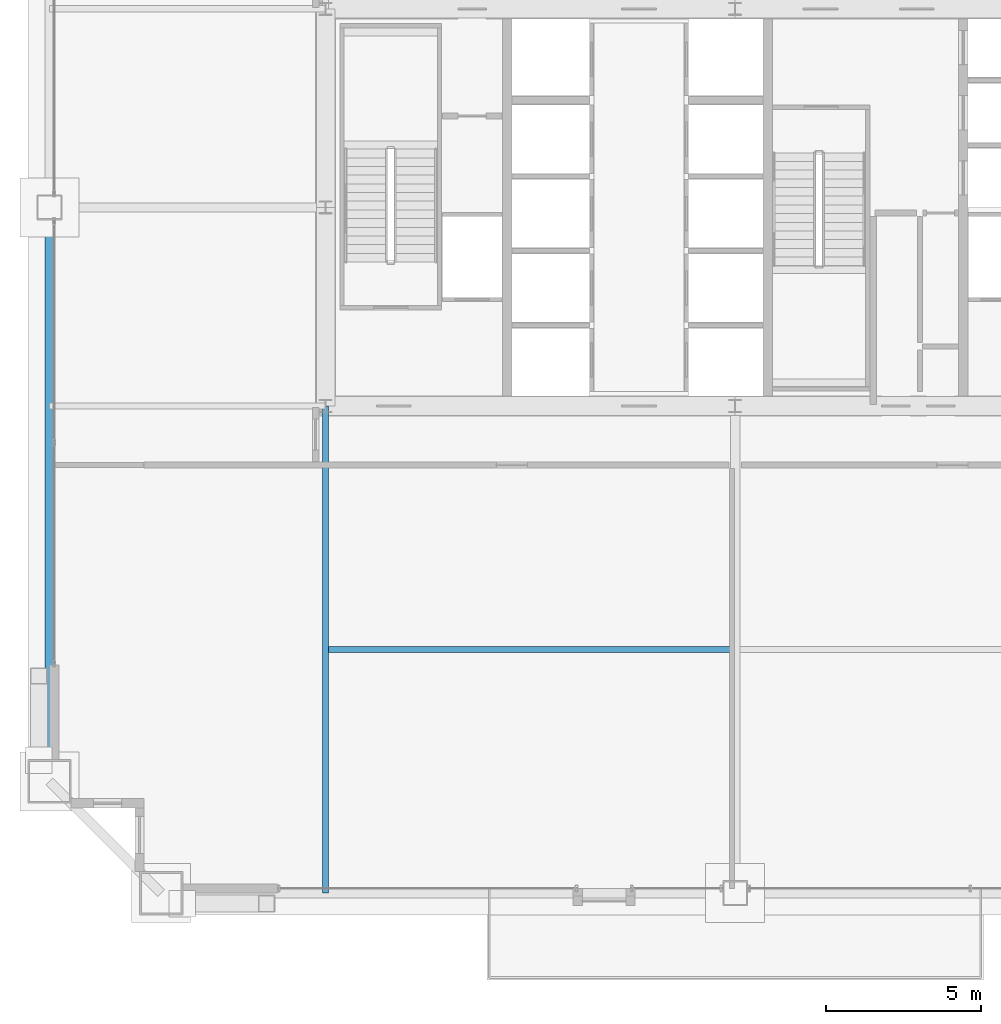
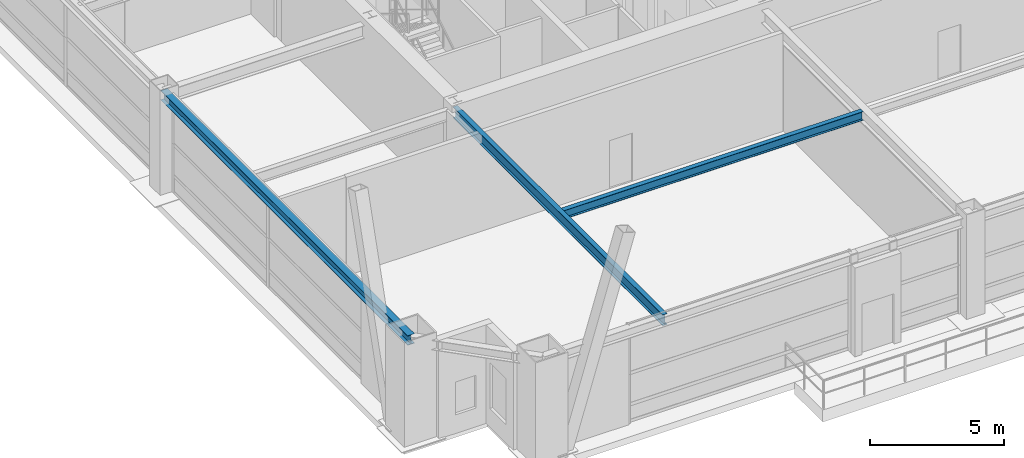
# One storey, part 7 of 34: 3 beams.
"""IFC4 building model written with IfcOpenShell, lengths in metres."""

from ifc_helpers import new_model, si_unit, direction, frame, origin, origin_2d, place, context, subcontext, project, spatial, i_section, extrude, source, transform, mapped, material, material_profile, profile_set, type_object, element, save


model = new_model("IFC4")

# Units and contexts
model_context = context("Model", 3, precision=1e-05, world=origin(), true_north=direction((0.0, 1.0)))
body_context = subcontext(model_context, "Body", "Model", "MODEL_VIEW")
ifc_project = project(units=[si_unit("LENGTHUNIT", "METRE"), si_unit("AREAUNIT", "SQUARE_METRE"), si_unit("VOLUMEUNIT", "CUBIC_METRE"), si_unit("PLANEANGLEUNIT", "RADIAN"), si_unit("MASSUNIT", "GRAM", prefix="KILO"), si_unit("THERMODYNAMICTEMPERATUREUNIT", "KELVIN"), si_unit("POWERUNIT", "WATT")], contexts=[model_context])

# Site, building, storey
site_placement = place(None, origin())
site = spatial("IfcSite", under=ifc_project, at=site_placement, CompositionType="ELEMENT")
building_placement = place(site_placement, origin())
building = spatial("IfcBuilding", under=site, at=building_placement, Name="Yuzanri Waterfront Tower", CompositionType="ELEMENT")
storey_placement = place(building_placement, frame((0.0, 0.0, 166.800048828125)))
storey = spatial("IfcBuildingStorey", under=building, at=storey_placement, Name="L44", CompositionType="ELEMENT", Elevation=166.800048828125)

# Beams
ifc_material_1 = material(Name="Steel Q355B", Category="steel")
ifc_material_profile_1 = material_profile(ifc_material_1, i_section(OverallWidth=0.199951171875, OverallDepth=0.39990234375, WebThickness=0.008056640625, FlangeThickness=0.012939453125, at=origin_2d()), Name="HN 400x200x8x13")
ifc_profile_set_1 = profile_set([ifc_material_profile_1], Name="Steel Q355B")
beam_type_1 = type_object("IfcBeamType", Name="Floor Joist Q355B HN 400x200", PredefinedType="JOIST", material=ifc_profile_set_1)
shared_shape_1 = source(origin(), body_context, "Body", "SweptSolid", [
    extrude(i_section(OverallWidth=0.199951171875, OverallDepth=0.39990234375, WebThickness=0.008056640625, FlangeThickness=0.012939453125, at=origin_2d()), origin(), (0.0, 0.0, 1.0), 12.9501953125),
])
beam_1_placement = place(storey_placement, frame((23.89990234375, 11.550048828125, 4.300048828125), z_axis=(1.0, 0.0, 0.0), x_axis=(0.0, 1.0, 0.0)))
element("IfcBeam", 1, at=beam_1_placement, inside=storey, type_object=beam_type_1, Name="L44 South Bay Joist W", PredefinedType="JOIST", context=body_context, shape_type="MappedRepresentation", body=[
    mapped(shared_shape_1, transform((0.0, 0.0, 0.0), scale=1.0)),
])
ifc_material_2 = material(Name="Steel Q355B", Category="steel")
ifc_material_profile_2 = material_profile(ifc_material_2, i_section(OverallWidth=0.300048828125, OverallDepth=0.43994140625, WebThickness=0.010986328125, FlangeThickness=0.01806640625, at=origin_2d()), Name="HM 440x300x11x18")
ifc_profile_set_2 = profile_set([ifc_material_profile_2], Name="Steel Q355B")
beam_type_2 = type_object("IfcBeamType", Name="Perimeter Spandrel Q355B HM 440x300", PredefinedType="SPANDREL", material=ifc_profile_set_2)
shared_shape_2 = source(origin(), body_context, "Body", "SweptSolid", [
    extrude(i_section(OverallWidth=0.300048828125, OverallDepth=0.43994140625, WebThickness=0.010986328125, FlangeThickness=0.01806640625, at=origin_2d()), origin(), (0.0, 0.0, 1.0), 18.5),
])
beam_2_placement = place(storey_placement, frame((14.89990234375, 25.800048828125, 4.280029296875), z_axis=(0.0, -1.0, 0.0), x_axis=(1.0, 0.0, 0.0)))
element("IfcBeam", 2, at=beam_2_placement, inside=storey, type_object=beam_type_2, Name="L44 Perimeter Spandrel W2-W1", PredefinedType="SPANDREL", context=body_context, shape_type="MappedRepresentation", body=[
    mapped(shared_shape_2, transform((0.0, 0.0, 0.0), scale=1.0)),
])
ifc_material_3 = material(Name="Steel Q355B", Category="steel")
ifc_material_profile_3 = material_profile(ifc_material_3, i_section(OverallWidth=0.199951171875, OverallDepth=0.5, WebThickness=0.010009765625, FlangeThickness=0.01611328125, at=origin_2d()), Name="HN 500x200x10x16")
ifc_profile_set_3 = profile_set([ifc_material_profile_3], Name="Steel Q355B")
beam_type_3 = type_object("IfcBeamType", Name="Secondary Floor Beam Q355B HN 500x200", PredefinedType="BEAM", material=ifc_profile_set_3)
shared_shape_3 = source(origin(), body_context, "Body", "SweptSolid", [
    extrude(i_section(OverallWidth=0.199951171875, OverallDepth=0.5, WebThickness=0.010009765625, FlangeThickness=0.01611328125, at=origin_2d()), origin(), (0.0, 0.0, 1.0), 15.699951171875),
])
beam_3_placement = place(storey_placement, frame((23.800048828125, 19.39990234375, 4.25), z_axis=(0.0, -1.0, 0.0), x_axis=(1.0, 0.0, 0.0)))
element("IfcBeam", 3, at=beam_3_placement, inside=storey, type_object=beam_type_3, Name="L44 South-West Core Line Beam", PredefinedType="BEAM", context=body_context, shape_type="MappedRepresentation", body=[
    mapped(shared_shape_3, transform((0.0, 0.0, 0.0), scale=1.0)),
])

save(model, "model.ifc")
